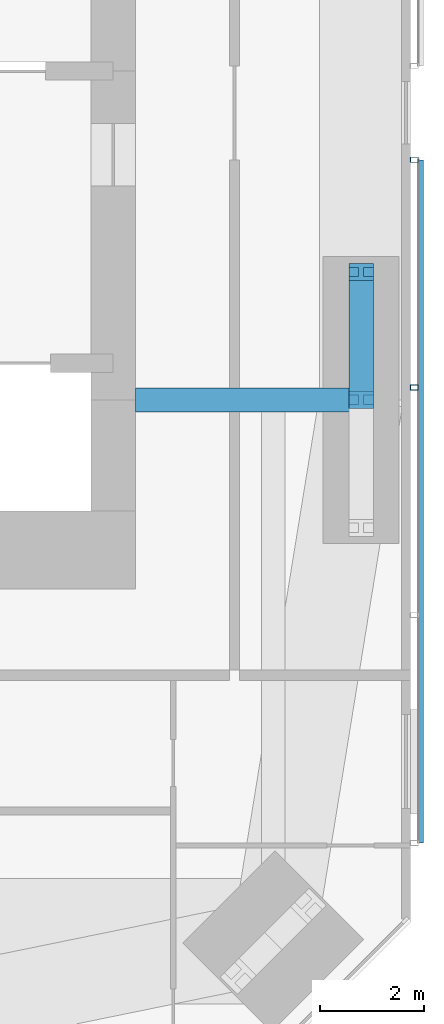
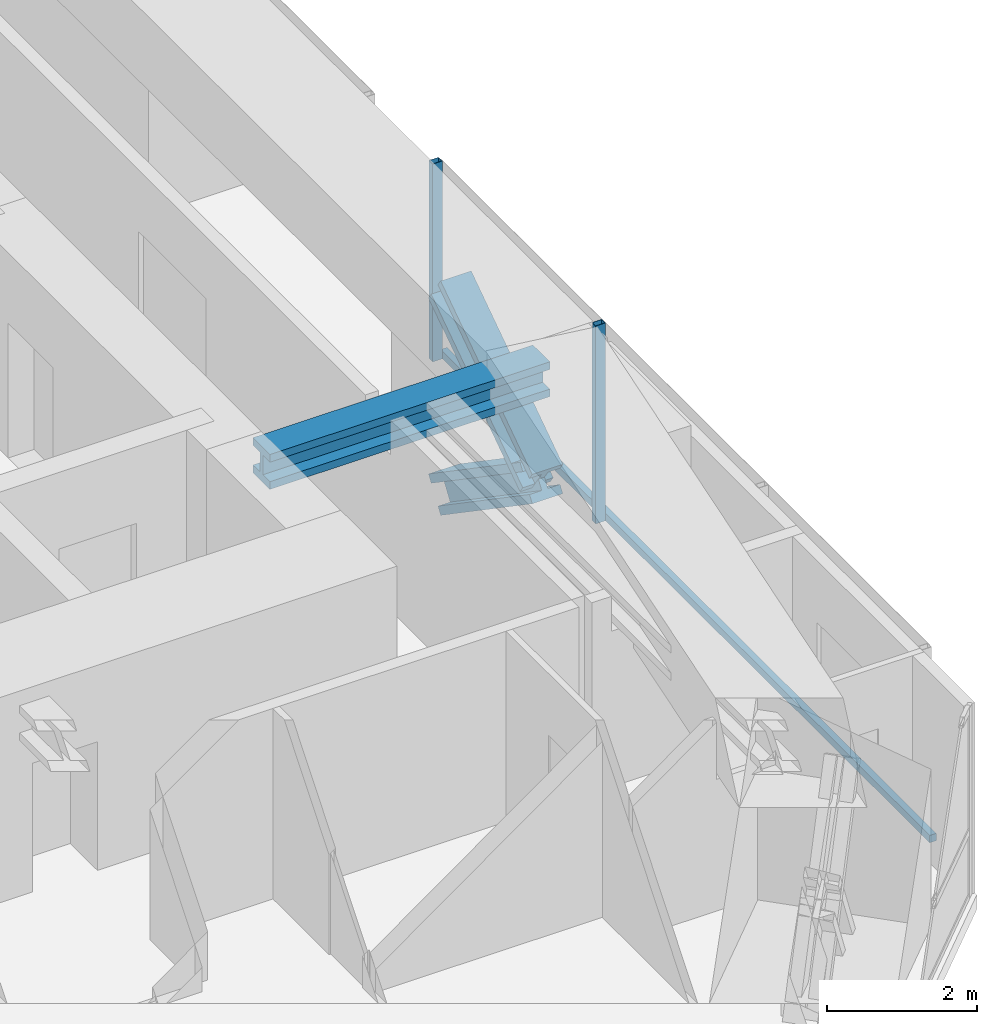
# One storey, part 9 of 24: 5 members, 1 beam, 1 element without a shape of its own.
"""IFC4 building model written with IfcOpenShell, lengths in metres."""

from ifc_helpers import new_model, si_unit, direction, frame, origin, origin_2d, place, context, subcontext, project, spatial, rectangle, hollow_rectangle, i_section, extrude, material, material_profile, profile_set, type_object, element, aggregate, save


model = new_model("IFC4")

# Units and contexts
model_context = context("Model", 3, precision=1e-05, world=origin(), true_north=direction((0.0, 1.0)))
body_context = subcontext(model_context, "Body", "Model", "MODEL_VIEW")
ifc_project = project(units=[si_unit("LENGTHUNIT", "METRE"), si_unit("AREAUNIT", "SQUARE_METRE"), si_unit("VOLUMEUNIT", "CUBIC_METRE"), si_unit("PLANEANGLEUNIT", "RADIAN"), si_unit("MASSUNIT", "GRAM", prefix="KILO")], contexts=[model_context])

# Site, building, storey
site_placement = place(None, origin())
site = spatial("IfcSite", under=ifc_project, at=site_placement, CompositionType="ELEMENT")
building_placement = place(site_placement, origin())
building = spatial("IfcBuilding", under=site, at=building_placement, Name="Jalousie Tower", CompositionType="ELEMENT")
storey_placement = place(building_placement, frame((0.0, 0.0, 128.300048828125)))
storey = spatial("IfcBuildingStorey", under=building, at=storey_placement, Name="L35", CompositionType="ELEMENT", Elevation=128.300048828125)

# Beam
ifc_material_1 = material(Name="Steel ASTM A992 Grade 50", Category="steel")
ifc_material_profile_1 = material_profile(ifc_material_1, i_section(OverallWidth=0.45458984375, OverallDepth=0.569091796875, WebThickness=0.077880859375, FlangeThickness=0.124755859375, at=origin_2d()), Name="W14X730")
ifc_profile_set_1 = profile_set([ifc_material_profile_1], Name="Steel ASTM A992 Grade 50")
beam_type = type_object("IfcBeamType", Name="LEAN COLLECTOR W14X730", PredefinedType="BEAM", material=ifc_profile_set_1)
beam_placement = place(storey_placement, frame((48.550048828125, 13.0, 2.825439453125), z_axis=(-1.0, 0.0, 0.0), x_axis=(0.0, -1.0, 0.0)))
element("IfcBeam", 1, at=beam_placement, inside=storey, type_object=beam_type, Name="Lean collector under L36", PredefinedType="BEAM", context=body_context, shape_type="SweptSolid", body=[
    extrude(i_section(OverallWidth=0.45458984375, OverallDepth=0.569091796875, WebThickness=0.077880859375, FlangeThickness=0.124755859375, at=origin_2d()), origin(), (0.0, 0.0, 1.0), 4.324951171875),
])

# Members
ifc_material_2 = material(Name="Steel ASTM A992 Grade 50", Category="steel")
ifc_material_profile_2 = material_profile(ifc_material_2, i_section(OverallWidth=0.472412109375, OverallDepth=0.5791015625, WebThickness=0.094970703125, FlangeThickness=0.1298828125, at=origin_2d()), Name="W14X808")
ifc_profile_set_2 = profile_set([ifc_material_profile_2], Name="Steel ASTM A992 Grade 50")
member_type_1 = type_object("IfcMemberType", Name="PERIMETER BRACE W14X808", PredefinedType="BRACE", material=ifc_profile_set_2)
for number, where, z_axis, x_axis, name in (
    (2, (48.550048828125, 13.0, 1.074951171875), (0.0, 0.825500916831, 0.564400776321), (-1.0, 0.0, 0.0), "Perimeter brace 06 L35 part 2"),
    (3, (48.550048828125, 15.449951171875, -0.60009765625), (0.0, -0.825500916831, 0.564400776321), (1.0, 0.0, 0.0), "Perimeter brace 06 L35 part 3"),
):
    element("IfcMember", number, at=place(storey_placement, frame(where, z_axis=z_axis, x_axis=x_axis)), inside=storey, type_object=member_type_1, Name=name, PredefinedType="BRACE", context=body_context, shape_type="SweptSolid", body=[
        extrude(i_section(OverallWidth=0.472412109375, OverallDepth=0.5791015625, WebThickness=0.094970703125, FlangeThickness=0.1298828125, at=origin_2d()), origin(), (0.0, 0.0, 1.0), 2.9677734375),
    ])

# Curtain wall, members
ifc_material_3 = material(Name="Perforated aluminium sheet", Category="aluminium")
curtain_wall_type = type_object("IfcCurtainWallType", Name="SOLAR SCREEN SS-1", PredefinedType="USERDEFINED", material=ifc_material_3)
curtain_wall_placement = place(storey_placement, origin())
curtain_wall = element("IfcCurtainWall", 4, at=curtain_wall_placement, inside=storey, type_object=curtain_wall_type, Name="Solar screen L35", ObjectType="SOLAR SCREEN SS-1", PredefinedType="USERDEFINED")
ifc_material_4 = material(Name="Steel ASTM A500 Grade C", Category="steel")
ifc_material_profile_3 = material_profile(ifc_material_4, hollow_rectangle(XDim=0.1015625, YDim=0.15234375, WallThickness=0.00634765625, at=origin_2d()), Name="HSS6X4X1/4")
ifc_profile_set_3 = profile_set([ifc_material_profile_3], Name="Steel ASTM A500 Grade C")
member_type_2 = type_object("IfcMemberType", Name="SOLAR SCREEN SS-1 MULLION", PredefinedType="MULLION", material=ifc_profile_set_3)
member_1_placement = place(storey_placement, frame((49.5712890625, 13.23779296875, -0.1201171875), z_axis=(0.0, 0.0, 1.0), x_axis=(0.0, 1.0, 0.0)))
member_1 = element("IfcMember", 5, at=member_1_placement, type_object=member_type_2, Name="SS1 post 3", PredefinedType="MULLION", context=body_context, shape_type="SweptSolid", body=[
    extrude(hollow_rectangle(XDim=0.1015625, YDim=0.15234375, WallThickness=0.00634765625, at=origin_2d()), origin(), (0.0, 0.0, 1.0), 3.22998046875),
])
member_2_placement = place(storey_placement, frame((49.5712890625, 17.60009765625, -0.1201171875), z_axis=(0.0, 0.0, 1.0), x_axis=(0.0, 1.0, 0.0)))
member_2 = element("IfcMember", 6, at=member_2_placement, type_object=member_type_2, Name="SS1 post 4", PredefinedType="MULLION", context=body_context, shape_type="SweptSolid", body=[
    extrude(hollow_rectangle(XDim=0.1015625, YDim=0.15234375, WallThickness=0.00634765625, at=origin_2d()), origin(), (0.0, 0.0, 1.0), 3.22998046875),
])
ifc_material_5 = material(Name="Extruded aluminium screen rail", Category="aluminium")
ifc_material_profile_4 = material_profile(ifc_material_5, rectangle(XDim=0.1015625, YDim=0.1201171875, at=origin_2d()), Name="RAIL 102x120")
ifc_profile_set_4 = profile_set([ifc_material_profile_4], Name="Extruded aluminium screen rail")
member_type_3 = type_object("IfcMemberType", Name="SOLAR SCREEN SS-1 TRANSOM", PredefinedType="USERDEFINED", material=ifc_profile_set_4)
member_3_placement = place(storey_placement, frame((49.6982421875, 4.513916015625, -0.06005859375), z_axis=(0.0, 1.0, 0.0), x_axis=(-1.0, 0.0, 0.0)))
member_3 = element("IfcMember", 7, at=member_3_placement, type_object=member_type_3, Name="SS1 rail", ObjectType="TRANSOM", PredefinedType="USERDEFINED", context=body_context, shape_type="SweptSolid", body=[
    extrude(rectangle(XDim=0.1015625, YDim=0.1201171875, at=origin_2d()), origin(), (0.0, 0.0, 1.0), 13.086181640625),
])
aggregate(curtain_wall, [member_1, member_2, member_3])

save(model, "model.ifc")
